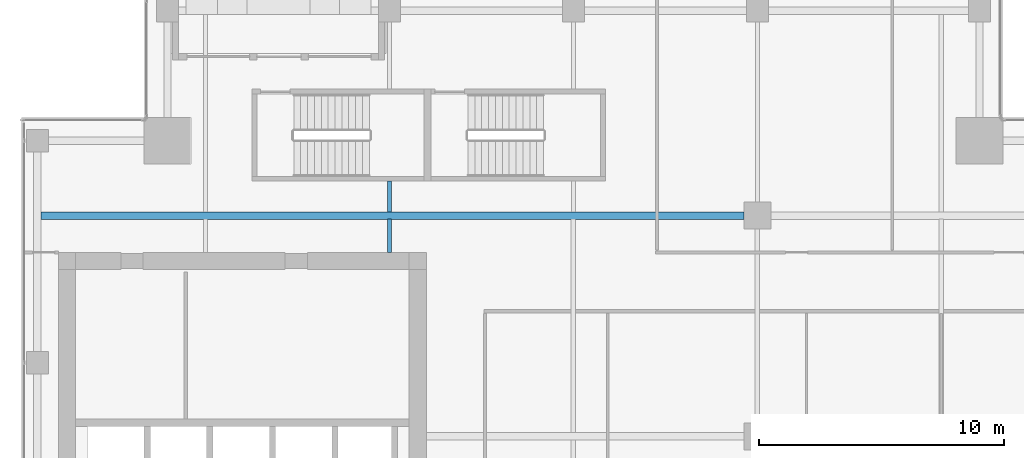
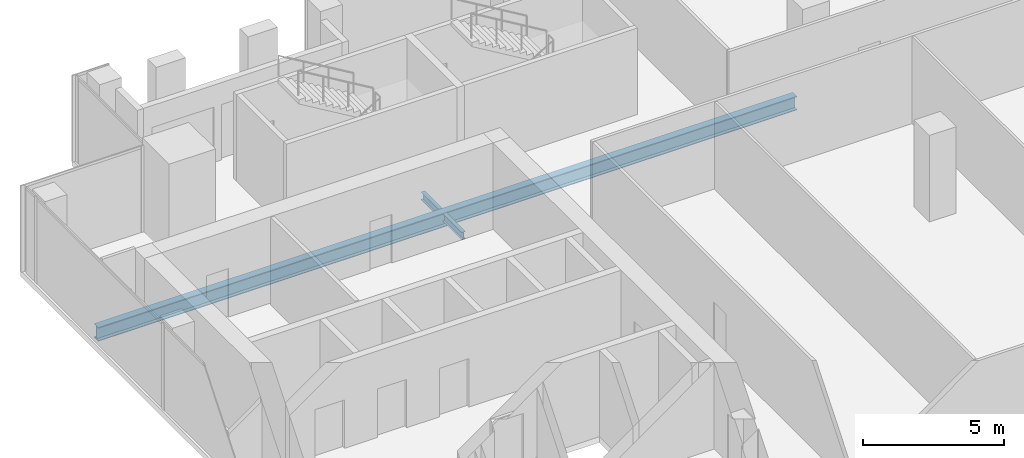
# One storey, part 17 of 35: 3 beams.
"""IFC4 building model written with IfcOpenShell, lengths in metres."""

from ifc_helpers import new_model, si_unit, direction, frame, origin, origin_2d, place, context, subcontext, project, spatial, i_section, extrude, source, transform, mapped, material, material_profile, profile_set, type_object, element, save


model = new_model("IFC4")

# Units and contexts
model_context = context("Model", 3, precision=1e-05, world=origin(), true_north=direction((0.0, 1.0)))
body_context = subcontext(model_context, "Body", "Model", "MODEL_VIEW")
ifc_project = project(units=[si_unit("LENGTHUNIT", "METRE"), si_unit("AREAUNIT", "SQUARE_METRE"), si_unit("VOLUMEUNIT", "CUBIC_METRE"), si_unit("PLANEANGLEUNIT", "RADIAN"), si_unit("MASSUNIT", "GRAM", prefix="KILO")], contexts=[model_context])

# Site, building, storey
site_placement = place(None, origin())
site = spatial("IfcSite", under=ifc_project, at=site_placement, CompositionType="ELEMENT")
building_placement = place(site_placement, origin())
building = spatial("IfcBuilding", under=site, at=building_placement, Name="Khomas Fold Tower", CompositionType="ELEMENT")
storey_placement = place(building_placement, frame((0.0, 0.0, 262.199951171875)))
storey = spatial("IfcBuildingStorey", under=building, at=storey_placement, Name="L59", CompositionType="ELEMENT", Elevation=262.199951171875)

# Beams
ifc_material_1 = material(Name="Steel S355", Category="steel")
ifc_material_profile_1 = material_profile(ifc_material_1, i_section(OverallWidth=0.159912109375, OverallDepth=0.330078125, WebThickness=0.007568359375, FlangeThickness=0.011474609375, at=origin_2d()), Name="IPE 330")
ifc_profile_set_1 = profile_set([ifc_material_profile_1], Name="Steel S355")
beam_type_1 = type_object("IfcBeamType", Name="IPE 330 beam JB1", PredefinedType="BEAM", material=ifc_profile_set_1)
shared_shape_1 = source(origin(), body_context, "Body", "SweptSolid", [
    extrude(i_section(OverallWidth=0.159912109375, OverallDepth=0.330078125, WebThickness=0.007568359375, FlangeThickness=0.011474609375, at=origin_2d()), origin(), (0.0, 0.0, 1.0), 1.25),
])
beam_1_placement = place(storey_placement, frame((19.5, 40.64990234375, -0.4150390625), z_axis=(0.0, 1.0, 0.0), x_axis=(-1.0, 0.0, 0.0)))
element("IfcBeam", 1, at=beam_1_placement, inside=storey, type_object=beam_type_1, Name="JB1", PredefinedType="BEAM", context=body_context, shape_type="MappedRepresentation", body=[
    mapped(shared_shape_1, transform((0.0, 0.0, 0.0))),
])
shared_shape_2 = source(origin(), body_context, "Body", "SweptSolid", [
    extrude(i_section(OverallWidth=0.159912109375, OverallDepth=0.330078125, WebThickness=0.007568359375, FlangeThickness=0.011474609375, at=origin_2d()), origin(), (0.0, 0.0, 1.0), 1.35009765625),
])
beam_2_placement = place(storey_placement, frame((19.5, 39.0, -0.4150390625), z_axis=(0.0, 1.0, 0.0), x_axis=(-1.0, 0.0, 0.0)))
element("IfcBeam", 2, at=beam_2_placement, inside=storey, type_object=beam_type_1, Name="JB1", PredefinedType="BEAM", context=body_context, shape_type="MappedRepresentation", body=[
    mapped(shared_shape_2, transform((0.0, 0.0, 0.0))),
])
ifc_material_2 = material(Name="Steel S355", Category="steel")
ifc_material_profile_2 = material_profile(ifc_material_2, i_section(OverallWidth=0.300048828125, OverallDepth=0.60009765625, WebThickness=0.015380859375, FlangeThickness=0.030029296875, at=origin_2d()), Name="HE 600 B")
ifc_profile_set_2 = profile_set([ifc_material_profile_2], Name="Steel S355")
beam_type_2 = type_object("IfcBeamType", Name="HE 600 B beam GB5", PredefinedType="BEAM", material=ifc_profile_set_2)
shared_shape_3 = source(origin(), body_context, "Body", "SweptSolid", [
    extrude(i_section(OverallWidth=0.300048828125, OverallDepth=0.60009765625, WebThickness=0.015380859375, FlangeThickness=0.030029296875, at=origin_2d()), origin(), (0.0, 0.0, 1.0), 28.64990234375),
])
beam_3_placement = place(storey_placement, frame((5.300048828125, 40.5, -0.550048828125), z_axis=(1.0, 0.0, 0.0), x_axis=(0.0, 1.0, 0.0)))
element("IfcBeam", 3, at=beam_3_placement, inside=storey, type_object=beam_type_2, Name="GB5", PredefinedType="BEAM", context=body_context, shape_type="MappedRepresentation", body=[
    mapped(shared_shape_3, transform((0.0, 0.0, 0.0))),
])

save(model, "model.ifc")
